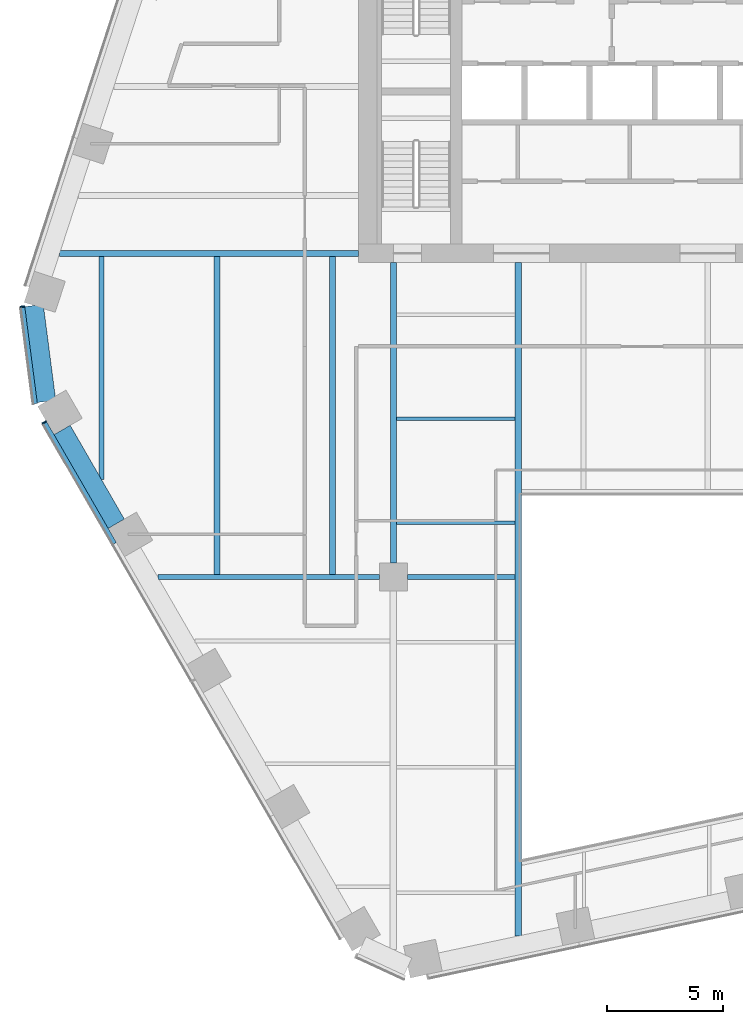
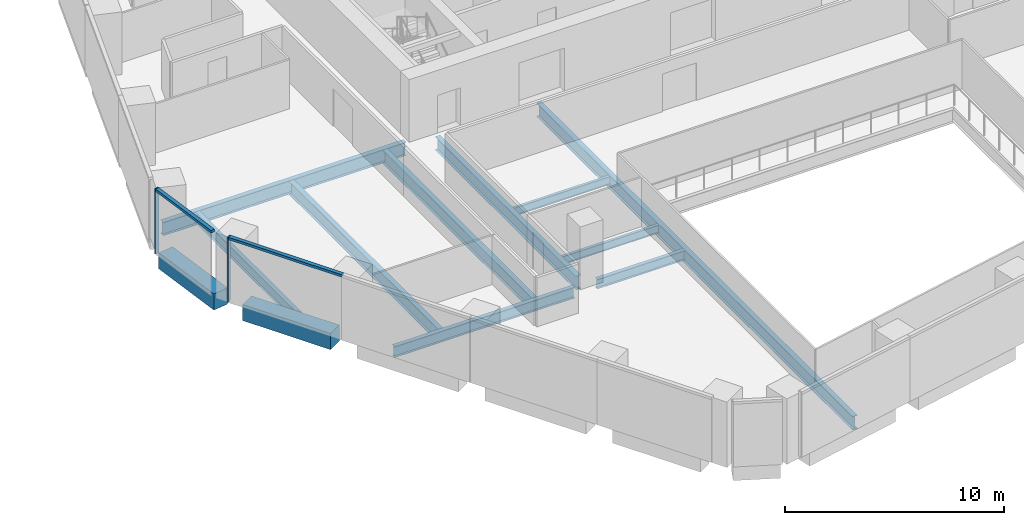
# One storey, part 3 of 16: 12 beams, 4 members, 2 elements without a shape of their own.
"""IFC4 building model written with IfcOpenShell, lengths in metres."""

from ifc_helpers import new_model, si_unit, direction, frame, origin, origin_2d, place, context, subcontext, project, spatial, rectangle, i_section, extrude, material, layer, layer_set, material_profile, profile_set, type_object, element, aggregate, save


model = new_model("IFC4")

# Units and contexts
model_context = context("Model", 3, precision=1e-05, world=origin(), true_north=direction((0.0, 1.0)))
body_context = subcontext(model_context, "Body", "Model", "MODEL_VIEW")
ifc_project = project(units=[si_unit("LENGTHUNIT", "METRE"), si_unit("AREAUNIT", "SQUARE_METRE"), si_unit("VOLUMEUNIT", "CUBIC_METRE"), si_unit("PLANEANGLEUNIT", "RADIAN"), si_unit("MASSUNIT", "GRAM", prefix="KILO")], contexts=[model_context])

# Site, building, storey
site_placement = place(None, origin())
site = spatial("IfcSite", under=ifc_project, at=site_placement, CompositionType="ELEMENT")
building_placement = place(site_placement, origin())
building = spatial("IfcBuilding", under=site, at=building_placement, Name="Isthmus Gate Tower", CompositionType="ELEMENT")
storey_placement = place(building_placement, frame((0.0, 0.0, 151.699951171875)))
storey = spatial("IfcBuildingStorey", under=building, at=storey_placement, Name="L37", CompositionType="ELEMENT", Elevation=151.699951171875)

# Curtain wall, member
ifc_material_1 = material(Name="Aluminium, pale champagne anodised", Category="aluminium")
ifc_layer = layer(ifc_material_1, 0.199951171875)
ifc_layer_set = layer_set([ifc_layer], Name="CW-1 UNITISED CURTAIN WALL 200 DEEP")
curtain_wall_type = type_object("IfcCurtainWallType", Name="CW-1 UNITISED CURTAIN WALL 200 DEEP", PredefinedType="NOTDEFINED", material=ifc_layer_set)
curtain_wall_1_placement = place(storey_placement, origin())
curtain_wall_1 = element("IfcCurtainWall", 1, at=curtain_wall_1_placement, inside=storey, type_object=curtain_wall_type, Name="CW-1 NW-SW L37", PredefinedType="NOTDEFINED")
ifc_material_2 = material(Name="Aluminium, pale champagne anodised", Category="aluminium")
ifc_material_profile_1 = material_profile(ifc_material_2, rectangle(XDim=0.06005859375, YDim=0.199951171875, at=origin_2d()), Name="60x200")
ifc_profile_set_1 = profile_set([ifc_material_profile_1], Name="Aluminium, pale champagne anodised")
member_type_1 = type_object("IfcMemberType", Name="CW-1 MULLION 60 X 200", PredefinedType="MULLION", material=ifc_profile_set_1)
member_1_placement = place(storey_placement, frame((-29.42724609375, -1.88525390625, 0.0), z_axis=(0.0, 0.0, 1.0), x_axis=(0.129164534, -0.991623175988, 0.0)))
member_1 = element("IfcMember", 2, at=member_1_placement, type_object=member_type_1, Name="CW-1 mullion", PredefinedType="MULLION", context=body_context, shape_type="SweptSolid", body=[
    extrude(rectangle(XDim=0.06005859375, YDim=0.199951171875, at=origin_2d()), origin(), (0.0, 0.0, 1.0), 3.650146484375),
])

curtain_wall_2_placement = place(storey_placement, origin())
curtain_wall_2 = element("IfcCurtainWall", 3, at=curtain_wall_2_placement, inside=storey, type_object=curtain_wall_type, Name="CW-1 SW L37", PredefinedType="NOTDEFINED")
member_2_placement = place(storey_placement, frame((-28.489501953125, -6.8544921875, 0.0), z_axis=(0.0, 0.0, 1.0), x_axis=(0.5, -0.866025403784, 0.0)))
member_2 = element("IfcMember", 4, at=member_2_placement, type_object=member_type_1, Name="CW-1 mullion", PredefinedType="MULLION", context=body_context, shape_type="SweptSolid", body=[
    extrude(rectangle(XDim=0.06005859375, YDim=0.199951171875, at=origin_2d()), origin(), (0.0, 0.0, 1.0), 3.650146484375),
])

# Member
ifc_material_3 = material(Name="Aluminium, pale champagne anodised", Category="aluminium")
ifc_material_profile_2 = material_profile(ifc_material_3, rectangle(XDim=0.199951171875, YDim=0.139892578125, at=origin_2d()), Name="200x140")
ifc_profile_set_2 = profile_set([ifc_material_profile_2], Name="Aluminium, pale champagne anodised")
member_type_2 = type_object("IfcMemberType", Name="CW-1 TRANSOM 200 X 140", PredefinedType="USERDEFINED", material=ifc_profile_set_2)
member_3_placement = place(storey_placement, frame((-29.42333984375, -1.9150390625, 3.580078125), z_axis=(0.129149481977, -0.991625136483, 0.0), x_axis=(0.991625136483, 0.129149481977, 0.0)))
member_3 = element("IfcMember", 5, at=member_3_placement, type_object=member_type_2, Name="CW-1 transom", ObjectType="TRANSOM", PredefinedType="USERDEFINED", context=body_context, shape_type="SweptSolid", body=[
    extrude(rectangle(XDim=0.199951171875, YDim=0.139892578125, at=origin_2d()), origin(), (0.0, 0.0, 1.0), 4.181396484375),
])

aggregate(curtain_wall_1, [member_1, member_3])

member_4_placement = place(storey_placement, frame((-28.474609375, -6.880615234375, 3.580078125), z_axis=(0.500014106551, -0.86601725921, 0.0), x_axis=(0.86601725921, 0.500014106551, 0.0)))
member_4 = element("IfcMember", 6, at=member_4_placement, type_object=member_type_2, Name="CW-1 transom", ObjectType="TRANSOM", PredefinedType="USERDEFINED", context=body_context, shape_type="SweptSolid", body=[
    extrude(rectangle(XDim=0.199951171875, YDim=0.139892578125, at=origin_2d()), origin(), (0.0, 0.0, 1.0), 5.989990234375),
])

aggregate(curtain_wall_2, [member_2, member_4])

# Beams
ifc_material_4 = material(Name="Concrete f'c 60 MPa", Category="concrete")
ifc_material_profile_3 = material_profile(ifc_material_4, rectangle(XDim=0.800048828125, YDim=0.89990234375, at=origin_2d()), Name="RC 800X900")
ifc_profile_set_3 = profile_set([ifc_material_profile_3], Name="Concrete f'c 60 MPa")
beam_type_1 = type_object("IfcBeamType", Name="RC SPANDREL 800 X 900", PredefinedType="SPANDREL", material=ifc_profile_set_3)
beam_1_placement = place(storey_placement, frame((-25.396484375, -11.2119140625, -0.449951171875), z_axis=(-0.500023913295, 0.866011596997, 0.0), x_axis=(-0.866011596997, -0.500023913295, 0.0)))
element("IfcBeam", 7, at=beam_1_placement, inside=storey, type_object=beam_type_1, Name="str-spandrel-L37-19", PredefinedType="SPANDREL", context=body_context, shape_type="SweptSolid", body=[
    extrude(rectangle(XDim=0.800048828125, YDim=0.89990234375, at=origin_2d()), origin(), (0.0, 0.0, 1.0), 4.650146484375),
])
beam_2_placement = place(storey_placement, frame((-28.392822265625, -5.955810546875, -0.449951171875), z_axis=(-0.129170777359, 0.991622362735, 0.0), x_axis=(-0.991622362735, -0.129170777359, 0.0)))
element("IfcBeam", 8, at=beam_2_placement, inside=storey, type_object=beam_type_1, Name="str-spandrel-L37-20", PredefinedType="SPANDREL", context=body_context, shape_type="SweptSolid", body=[
    extrude(rectangle(XDim=0.800048828125, YDim=0.89990234375, at=origin_2d()), origin(), (0.0, 0.0, 1.0), 4.15234375),
])
ifc_material_5 = material(Name="Structural steel ASTM A992 Gr 50", Category="steel")
ifc_material_profile_4 = material_profile(ifc_material_5, i_section(OverallWidth=0.15234375, OverallDepth=0.45068359375, WebThickness=0.0078125, FlangeThickness=0.010986328125, at=origin_2d()), Name="W18X35")
ifc_profile_set_4 = profile_set([ifc_material_profile_4], Name="Structural steel ASTM A992 Gr 50")
beam_type_2 = type_object("IfcBeamType", Name="STEEL FLOOR BEAM W18X35", PredefinedType="JOIST", material=ifc_profile_set_4)
for number, where, z_axis, x_axis, name in (
    (9, (-13.3681640625, -11.16259765625, -0.375244140625), (1.0, 0.0, 0.0), (0.0, 1.0, 0.0), "str-beam-L37-04-00"),
    (10, (-13.3681640625, -6.697509765625, -0.375244140625), (1.0, 0.0, 0.0), (0.0, 1.0, 0.0), "str-beam-L37-04-01"),
):
    element("IfcBeam", number, at=place(storey_placement, frame(where, z_axis=z_axis, x_axis=x_axis)), inside=storey, type_object=beam_type_2, Name=name, PredefinedType="JOIST", context=body_context, shape_type="SweptSolid", body=[
        extrude(i_section(OverallWidth=0.15234375, OverallDepth=0.45068359375, WebThickness=0.0078125, FlangeThickness=0.010986328125, at=origin_2d()), origin(), (0.0, 0.0, 1.0), 5.1015625),
    ])
ifc_material_6 = material(Name="Structural steel ASTM A992 Gr 50", Category="steel")
ifc_material_profile_5 = material_profile(ifc_material_6, i_section(OverallWidth=0.228515625, OverallDepth=0.603271484375, WebThickness=0.010986328125, FlangeThickness=0.014404296875, at=origin_2d()), Name="W24X68")
ifc_profile_set_5 = profile_set([ifc_material_profile_5], Name="Structural steel ASTM A992 Gr 50")
beam_type_3 = type_object("IfcBeamType", Name="STEEL FLOOR BEAM W24X68", PredefinedType="JOIST", material=ifc_profile_set_5)
beam_3_placement = place(storey_placement, frame((-26.028564453125, -9.317138671875, -0.45166015625), z_axis=(0.0, 1.0, 0.0), x_axis=(-1.0, 0.0, 0.0)))
element("IfcBeam", 11, at=beam_3_placement, inside=storey, type_object=beam_type_3, Name="str-beam-L37-00-00", PredefinedType="JOIST", context=body_context, shape_type="SweptSolid", body=[
    extrude(i_section(OverallWidth=0.228515625, OverallDepth=0.603271484375, WebThickness=0.010986328125, FlangeThickness=0.014404296875, at=origin_2d()), origin(), (0.0, 0.0, 1.0), 9.58544921875),
])
ifc_material_7 = material(Name="Structural steel ASTM A992 Gr 50", Category="steel")
ifc_material_profile_6 = material_profile(ifc_material_7, i_section(OverallWidth=0.263427734375, OverallDepth=0.749267578125, WebThickness=0.0126953125, FlangeThickness=0.015869140625, at=origin_2d()), Name="W30X90")
ifc_profile_set_6 = profile_set([ifc_material_profile_6], Name="Structural steel ASTM A992 Gr 50")
beam_type_4 = type_object("IfcBeamType", Name="STEEL FLOOR BEAM W30X90", PredefinedType="JOIST", material=ifc_profile_set_6)
for number, where, z_axis, x_axis, name in (
    (12, (-21.06982421875, -13.3857421875, -0.524658203125), (0.0, 1.0, 0.0), (-1.0, 0.0, 0.0), "str-beam-L37-00-01"),
    (13, (-16.111083984375, -13.3857421875, -0.524658203125), (0.0, 1.0, 0.0), (-1.0, 0.0, 0.0), "str-beam-L37-00-02"),
):
    element("IfcBeam", number, at=place(storey_placement, frame(where, z_axis=z_axis, x_axis=x_axis)), inside=storey, type_object=beam_type_4, Name=name, PredefinedType="JOIST", context=body_context, shape_type="SweptSolid", body=[
        extrude(i_section(OverallWidth=0.263427734375, OverallDepth=0.749267578125, WebThickness=0.0126953125, FlangeThickness=0.015869140625, at=origin_2d()), origin(), (0.0, 0.0, 1.0), 13.654052734375),
    ])
ifc_material_8 = material(Name="Structural steel ASTM A992 Gr 50", Category="steel")
ifc_material_profile_7 = material_profile(ifc_material_8, i_section(OverallWidth=0.20947265625, OverallDepth=0.533447265625, WebThickness=0.009521484375, FlangeThickness=0.015869140625, at=origin_2d()), Name="W21X62")
ifc_profile_set_7 = profile_set([ifc_material_profile_7], Name="Structural steel ASTM A992 Gr 50")
beam_type_5 = type_object("IfcBeamType", Name="STEEL GIRDER W21X62", PredefinedType="BEAM", material=ifc_profile_set_7)
beam_4_placement = place(storey_placement, frame((-12.89990234375, -13.5, -0.416748046875), z_axis=(1.0, 0.0, 0.0), x_axis=(0.0, 1.0, 0.0)))
element("IfcBeam", 14, at=beam_4_placement, inside=storey, type_object=beam_type_5, Name="str-girder-L37-02", PredefinedType="BEAM", context=body_context, shape_type="SweptSolid", body=[
    extrude(i_section(OverallWidth=0.20947265625, OverallDepth=0.533447265625, WebThickness=0.009521484375, FlangeThickness=0.015869140625, at=origin_2d()), origin(), (0.0, 0.0, 1.0), 4.63330078125),
])
ifc_material_9 = material(Name="Structural steel ASTM A992 Gr 50", Category="steel")
ifc_material_profile_8 = material_profile(ifc_material_9, i_section(OverallWidth=0.228515625, OverallDepth=0.6064453125, WebThickness=0.010986328125, FlangeThickness=0.017578125, at=origin_2d()), Name="W24X76")
ifc_profile_set_8 = profile_set([ifc_material_profile_8], Name="Structural steel ASTM A992 Gr 50")
beam_type_6 = type_object("IfcBeamType", Name="STEEL GIRDER W24X76", PredefinedType="BEAM", material=ifc_profile_set_8)
beam_5_placement = place(storey_placement, frame((-23.613525390625, -13.5, -0.453125), z_axis=(1.0, 0.0, 0.0), x_axis=(0.0, 1.0, 0.0)))
element("IfcBeam", 15, at=beam_5_placement, inside=storey, type_object=beam_type_6, Name="str-girder-L37-01", PredefinedType="BEAM", context=body_context, shape_type="SweptSolid", body=[
    extrude(i_section(OverallWidth=0.228515625, OverallDepth=0.6064453125, WebThickness=0.010986328125, FlangeThickness=0.017578125, at=origin_2d()), origin(), (0.0, 0.0, 1.0), 9.513427734375),
])
ifc_material_10 = material(Name="Structural steel ASTM A992 Gr 50", Category="steel")
ifc_material_profile_9 = material_profile(ifc_material_10, i_section(OverallWidth=0.263427734375, OverallDepth=0.749267578125, WebThickness=0.0126953125, FlangeThickness=0.015869140625, at=origin_2d()), Name="W30X90")
ifc_profile_set_9 = profile_set([ifc_material_profile_9], Name="Structural steel ASTM A992 Gr 50")
beam_type_7 = type_object("IfcBeamType", Name="STEEL GIRDER W30X90", PredefinedType="BEAM", material=ifc_profile_set_9)
beam_6_placement = place(storey_placement, frame((-13.5, -12.89990234375, -0.524658203125), z_axis=(0.0, 1.0, 0.0), x_axis=(-1.0, 0.0, 0.0)))
element("IfcBeam", 16, at=beam_6_placement, inside=storey, type_object=beam_type_7, Name="str-girder-L37-08", PredefinedType="BEAM", context=body_context, shape_type="SweptSolid", body=[
    extrude(i_section(OverallWidth=0.263427734375, OverallDepth=0.749267578125, WebThickness=0.0126953125, FlangeThickness=0.015869140625, at=origin_2d()), origin(), (0.0, 0.0, 1.0), 12.89990234375),
])
beam_7_placement = place(storey_placement, frame((-15.0, 0.39990234375, -0.524658203125), z_axis=(-1.0, 0.0, 0.0), x_axis=(0.0, -1.0, 0.0)))
element("IfcBeam", 17, at=beam_7_placement, inside=storey, type_object=beam_type_7, Name="str-girder-L37-13", PredefinedType="BEAM", context=body_context, shape_type="SweptSolid", body=[
    extrude(i_section(OverallWidth=0.263427734375, OverallDepth=0.749267578125, WebThickness=0.0126953125, FlangeThickness=0.015869140625, at=origin_2d()), origin(), (0.0, 0.0, 1.0), 12.826416015625),
])
ifc_material_11 = material(Name="Structural steel ASTM A992 Gr 50", Category="steel")
ifc_material_profile_10 = material_profile(ifc_material_11, i_section(OverallWidth=0.2666015625, OverallDepth=0.7587890625, WebThickness=0.014404296875, FlangeThickness=0.01904296875, at=origin_2d()), Name="W30X108")
ifc_profile_set_10 = profile_set([ifc_material_profile_10], Name="Structural steel ASTM A992 Gr 50")
beam_type_8 = type_object("IfcBeamType", Name="STEEL TRIMMER W30X108", PredefinedType="BEAM", material=ifc_profile_set_10)
beam_8_placement = place(storey_placement, frame((-8.13330078125, 0.0, -0.529296875), z_axis=(0.0, -1.0, 0.0), x_axis=(1.0, 0.0, 0.0)))
element("IfcBeam", 18, at=beam_8_placement, inside=storey, type_object=beam_type_8, Name="str-trimmer-L37-02", PredefinedType="BEAM", context=body_context, shape_type="SweptSolid", body=[
    extrude(i_section(OverallWidth=0.2666015625, OverallDepth=0.7587890625, WebThickness=0.014404296875, FlangeThickness=0.01904296875, at=origin_2d()), origin(), (0.0, 0.0, 1.0), 28.910888671875),
])

save(model, "model.ifc")
